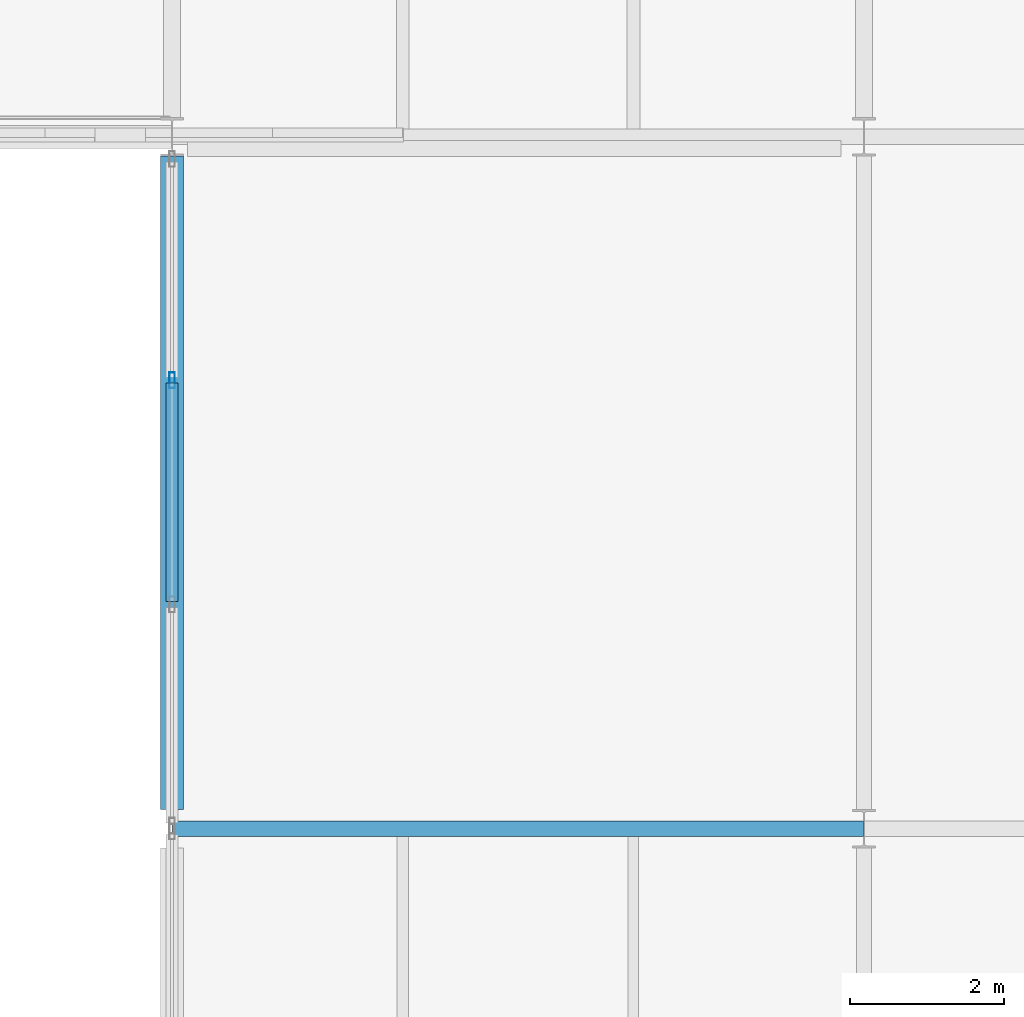
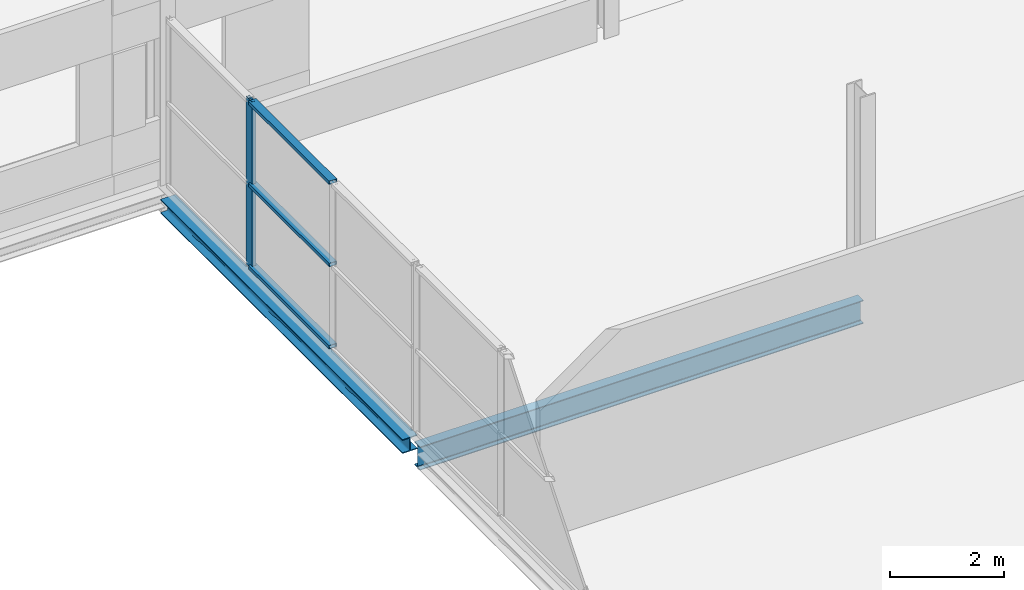
# One storey, part 28 of 88: 4 members, 2 beams, 1 element without a shape of its own.
"""IFC4 building model written with IfcOpenShell, lengths in metres."""

from ifc_helpers import new_model, si_unit, direction, frame, origin, origin_2d, place, context, subcontext, project, spatial, hollow_rectangle, i_section, extrude, material, layer, layer_set, material_profile, profile_set, type_object, element, aggregate, save


model = new_model("IFC4")

# Units and contexts
model_context = context("Model", 3, precision=1e-05, world=origin(), true_north=direction((0.0, 1.0)))
body_context = subcontext(model_context, "Body", "Model", "MODEL_VIEW")
ifc_project = project(units=[si_unit("LENGTHUNIT", "METRE"), si_unit("AREAUNIT", "SQUARE_METRE"), si_unit("VOLUMEUNIT", "CUBIC_METRE"), si_unit("PLANEANGLEUNIT", "RADIAN"), si_unit("MASSUNIT", "GRAM", prefix="KILO")], contexts=[model_context])

# Site, building, storey
site_placement = place(None, origin())
site = spatial("IfcSite", under=ifc_project, at=site_placement, CompositionType="ELEMENT")
building_placement = place(site_placement, origin())
building = spatial("IfcBuilding", under=site, at=building_placement, Name="Deido Ridge Mobility Hub", CompositionType="ELEMENT")
storey_placement = place(building_placement, frame((0.0, 0.0, 16.800048828125)))
storey = spatial("IfcBuildingStorey", under=building, at=storey_placement, Name="L04", CompositionType="ELEMENT", Elevation=16.800048828125)

# Beam
ifc_material_1 = material(Name="Steel S355J2 EN 10025-2", Category="steel")
ifc_material_profile_1 = material_profile(ifc_material_1, i_section(OverallWidth=0.199951171875, OverallDepth=0.5, WebThickness=0.01025390625, FlangeThickness=0.01611328125, FilletRadius=0.02099609375, at=origin_2d()), Name="IPE 500")
ifc_profile_set_1 = profile_set([ifc_material_profile_1], Name="Steel S355J2 EN 10025-2")
beam_type_1 = type_object("IfcBeamType", Name="BM-IPE500", PredefinedType="BEAM", material=ifc_profile_set_1)
beam_1_placement = place(storey_placement, frame((54.007080078125, 72.0, -0.525146484375), z_axis=(1.0, 0.0, 0.0), x_axis=(0.0, 1.0, 0.0)))
element("IfcBeam", 1, at=beam_1_placement, inside=storey, type_object=beam_type_1, Name="Floor beam B3", PredefinedType="BEAM", context=body_context, shape_type="SweptSolid", body=[
    extrude(i_section(OverallWidth=0.199951171875, OverallDepth=0.5, WebThickness=0.01025390625, FlangeThickness=0.01611328125, FilletRadius=0.02099609375, at=origin_2d()), origin(), (0.0, 0.0, 1.0), 8.98583984375),
])

# Curtain wall, members
ifc_material_2 = material(Name="Anodised aluminium EN AW-6063 T6", Category="aluminium")
ifc_layer = layer(ifc_material_2, 0.239990234375, Name="Anodised aluminium EN AW-6063 T6")
ifc_layer_set = layer_set([ifc_layer], Name="Anodised aluminium EN AW-6063 T6")
curtain_wall_type = type_object("IfcCurtainWallType", Name="CW-UF-6", PredefinedType="USERDEFINED", material=ifc_layer_set)
curtain_wall_placement = place(storey_placement, origin())
curtain_wall = element("IfcCurtainWall", 2, at=curtain_wall_placement, inside=storey, type_object=curtain_wall_type, Name="Unitised curtain wall CW6", ObjectType="UNITISED FACADE", PredefinedType="USERDEFINED")
ifc_material_profile_2 = material_profile(ifc_material_2, hollow_rectangle(XDim=0.074951171875, YDim=0.205078125, WallThickness=0.00390625, at=origin_2d()), Name="RHS 75x205x4")
ifc_profile_set_2 = profile_set([ifc_material_profile_2], Name="Anodised aluminium EN AW-6063 T6")
member_type_1 = type_object("IfcMemberType", Name="MEM-MUL-75X205", PredefinedType="MULLION", material=ifc_profile_set_2)
member_1_placement = place(storey_placement, frame((54.0, 77.833251953125, 0.0), z_axis=(0.0, 0.0, 1.0), x_axis=(-1.0, 0.0, 0.0)))
member_1 = element("IfcMember", 3, at=member_1_placement, type_object=member_type_1, Name="CW6 mullion 3", PredefinedType="MULLION", context=body_context, shape_type="SweptSolid", body=[
    extrude(hollow_rectangle(XDim=0.074951171875, YDim=0.205078125, WallThickness=0.00390625, at=origin_2d()), origin(), (0.0, 0.0, 1.0), 3.599853515625),
])
ifc_material_profile_3 = material_profile(ifc_material_2, hollow_rectangle(XDim=0.155029296875, YDim=0.074951171875, WallThickness=0.00390625, at=origin_2d()), Name="RHS 155x75x4")
ifc_profile_set_3 = profile_set([ifc_material_profile_3], Name="Anodised aluminium EN AW-6063 T6")
member_type_2 = type_object("IfcMemberType", Name="MEM-TRN-155X75", PredefinedType="USERDEFINED", material=ifc_profile_set_3)
member_2_placement = place(storey_placement, frame((54.0, 74.9541015625, 0.037353515625), z_axis=(0.0, 1.0, 0.0), x_axis=(-1.0, 0.0, 0.0)))
member_2 = element("IfcMember", 4, at=member_2_placement, type_object=member_type_2, Name="CW6 transom 2.1", ObjectType="TRANSOM", PredefinedType="USERDEFINED", context=body_context, shape_type="SweptSolid", body=[
    extrude(hollow_rectangle(XDim=0.155029296875, YDim=0.074951171875, WallThickness=0.00390625, at=origin_2d()), origin(), (0.0, 0.0, 1.0), 2.841796875),
])
member_3_placement = place(storey_placement, frame((54.0, 74.9541015625, 1.800048828125), z_axis=(0.0, 1.0, 0.0), x_axis=(-1.0, 0.0, 0.0)))
member_3 = element("IfcMember", 5, at=member_3_placement, type_object=member_type_2, Name="CW6 transom 2.2", ObjectType="TRANSOM", PredefinedType="USERDEFINED", context=body_context, shape_type="SweptSolid", body=[
    extrude(hollow_rectangle(XDim=0.155029296875, YDim=0.074951171875, WallThickness=0.00390625, at=origin_2d()), origin(), (0.0, 0.0, 1.0), 2.841796875),
])
member_4_placement = place(storey_placement, frame((54.0, 74.9541015625, 3.5625), z_axis=(0.0, 1.0, 0.0), x_axis=(-1.0, 0.0, 0.0)))
member_4 = element("IfcMember", 6, at=member_4_placement, type_object=member_type_2, Name="CW6 transom 2.3", ObjectType="TRANSOM", PredefinedType="USERDEFINED", context=body_context, shape_type="SweptSolid", body=[
    extrude(hollow_rectangle(XDim=0.155029296875, YDim=0.074951171875, WallThickness=0.00390625, at=origin_2d()), origin(), (0.0, 0.0, 1.0), 2.841796875),
])
aggregate(curtain_wall, [member_1, member_2, member_3, member_4])

# Beam
ifc_material_profile_4 = material_profile(ifc_material_1, i_section(OverallWidth=0.300048828125, OverallDepth=0.300048828125, WebThickness=0.010986328125, FlangeThickness=0.01904296875, FilletRadius=0.027099609375, at=origin_2d()), Name="HEB 300")
ifc_profile_set_4 = profile_set([ifc_material_profile_4], Name="Steel S355J2 EN 10025-2")
beam_type_2 = type_object("IfcBeamType", Name="SPD-HEB300", PredefinedType="SPANDREL", material=ifc_profile_set_4)
beam_2_placement = place(storey_placement, frame((54.0, 72.25, -0.425048828125), z_axis=(0.0, 1.0, 0.0), x_axis=(-1.0, 0.0, 0.0)))
element("IfcBeam", 7, at=beam_2_placement, inside=storey, type_object=beam_type_2, Name="Floor beam SP1", PredefinedType="SPANDREL", context=body_context, shape_type="SweptSolid", body=[
    extrude(i_section(OverallWidth=0.300048828125, OverallDepth=0.300048828125, WebThickness=0.010986328125, FlangeThickness=0.01904296875, FilletRadius=0.027099609375, at=origin_2d()), origin(), (0.0, 0.0, 1.0), 8.5),
])

save(model, "model.ifc")
